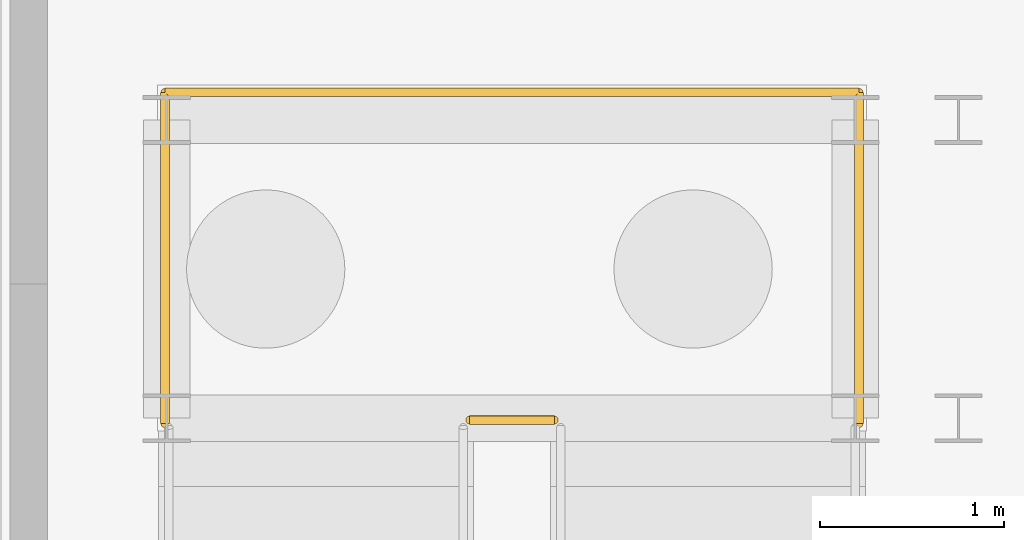
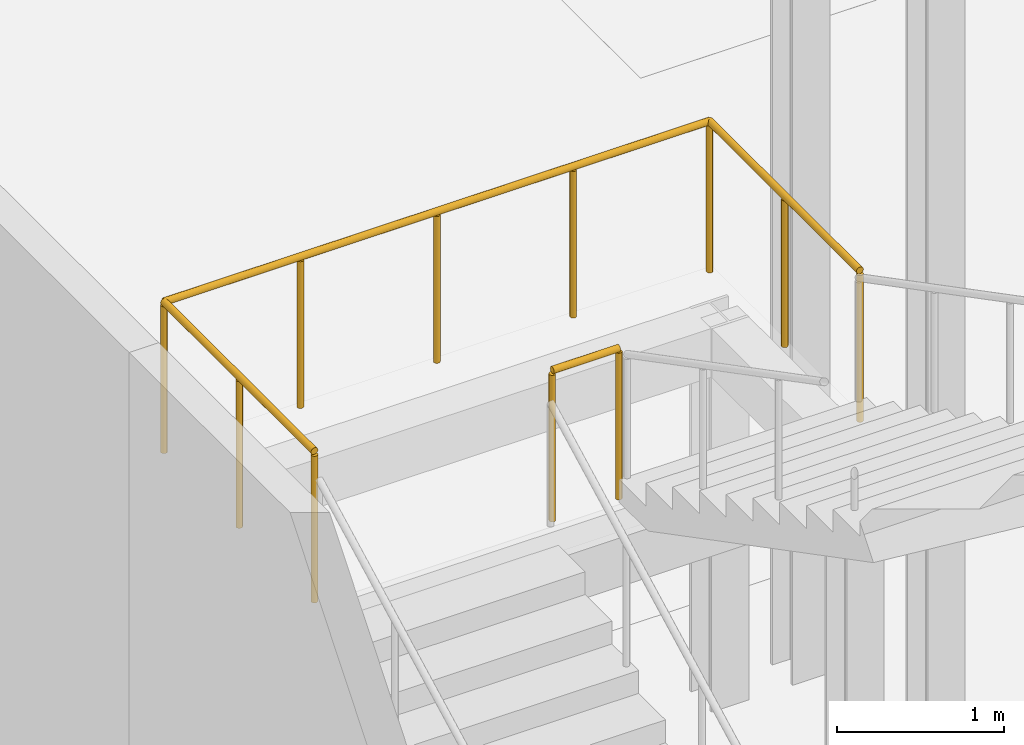
# One storey, part 117 of 131: 2 railings.
"""IFC4 building model written with IfcOpenShell, lengths in metres."""

from ifc_helpers import new_model, si_unit, direction, frame, origin, origin_2d, place, context, subcontext, project, spatial, circle, extrude, material, type_object, element, save


model = new_model("IFC4")

# Units and contexts
model_context = context("Model", 3, precision=1e-05, world=origin(), true_north=direction((0.0, 1.0)))
body_context = subcontext(model_context, "Body", "Model", "MODEL_VIEW")
ifc_project = project(units=[si_unit("LENGTHUNIT", "METRE"), si_unit("AREAUNIT", "SQUARE_METRE"), si_unit("VOLUMEUNIT", "CUBIC_METRE"), si_unit("PLANEANGLEUNIT", "RADIAN"), si_unit("MASSUNIT", "GRAM", prefix="KILO")], contexts=[model_context])

# Site, building, storey
site_placement = place(None, origin())
site = spatial("IfcSite", under=ifc_project, at=site_placement, CompositionType="ELEMENT")
building_placement = place(site_placement, origin())
building = spatial("IfcBuilding", under=site, at=building_placement, Name="Cazmaro Siding Exhibition Halls", CompositionType="ELEMENT")
storey_placement = place(building_placement, origin())
storey = spatial("IfcBuildingStorey", under=building, at=storey_placement, Name="L00", CompositionType="ELEMENT", Elevation=0.0)

# Railings
ifc_material = material(Name="Painted Steel Stairwell Guardrail", Category="steel")
railing_type = type_object("IfcRailingType", Name="RL-GRD-01", PredefinedType="GUARDRAIL", material=ifc_material)
railing_1_placement = place(storey_placement, frame((47.39501953125, 35.260009765625, 3.0)))
element("IfcRailing", 1, at=railing_1_placement, inside=storey, type_object=railing_type, Name="ST-26 Mid-Landing Slot Guard RL-GRD-01 RL-SG055", PredefinedType="GUARDRAIL", context=body_context, shape_type="SweptSolid", body=[
    extrude(circle(Radius=0.02392578125, at=origin_2d()), frame((0.0, 0.0, 1.09619140625), z_axis=(1.0, 0.0, 0.0), x_axis=(0.0, 1.0, 0.0)), (0.0, 0.0, 1.0), 0.4599609375),
    extrude(circle(Radius=0.02099609375, at=origin_2d()), origin(), (0.0, 0.0, 1.0), 1.072021484375),
    extrude(circle(Radius=0.02099609375, at=origin_2d()), frame((0.4599609375, 0.0, 0.0)), (0.0, 0.0, 1.0), 1.072021484375),
])
railing_2_placement = place(storey_placement, frame((45.739990234375, 35.239990234375, 3.0)))
element("IfcRailing", 2, at=railing_2_placement, inside=storey, type_object=railing_type, Name="ST-26 Mid-Landing Perimeter Guard RL-GRD-01 RL-SG056", PredefinedType="GUARDRAIL", context=body_context, shape_type="SweptSolid", body=[
    extrude(circle(Radius=0.02392578125, at=origin_2d()), frame((0.0, 0.0, 1.09619140625), z_axis=(0.0, 1.0, 0.0), x_axis=(-1.0, 0.0, 0.0)), (0.0, 0.0, 1.0), 1.800048828125),
    extrude(circle(Radius=0.02392578125, at=origin_2d()), frame((0.0, 1.800048828125, 1.09619140625), z_axis=(1.0, 0.0, 0.0), x_axis=(0.0, 1.0, 0.0)), (0.0, 0.0, 1.0), 3.77001953125),
    extrude(circle(Radius=0.02392578125, at=origin_2d()), frame((3.77001953125, 1.800048828125, 1.09619140625), z_axis=(0.0, -1.0, 0.0), x_axis=(1.0, 0.0, 0.0)), (0.0, 0.0, 1.0), 1.800048828125),
    extrude(circle(Radius=0.02099609375, at=origin_2d()), origin(), (0.0, 0.0, 1.0), 1.072021484375),
    extrude(circle(Radius=0.02099609375, at=origin_2d()), frame((0.0, 0.89990234375, 0.0)), (0.0, 0.0, 1.0), 1.072021484375),
    extrude(circle(Radius=0.02099609375, at=origin_2d()), frame((0.0, 1.800048828125, 0.0)), (0.0, 0.0, 1.0), 1.072021484375),
    extrude(circle(Radius=0.02099609375, at=origin_2d()), frame((0.9423828125, 1.800048828125, 0.0)), (0.0, 0.0, 1.0), 1.072021484375),
    extrude(circle(Radius=0.02099609375, at=origin_2d()), frame((1.885009765625, 1.800048828125, 0.0)), (0.0, 0.0, 1.0), 1.072021484375),
    extrude(circle(Radius=0.02099609375, at=origin_2d()), frame((2.82763671875, 1.800048828125, 0.0)), (0.0, 0.0, 1.0), 1.072021484375),
    extrude(circle(Radius=0.02099609375, at=origin_2d()), frame((3.77001953125, 1.800048828125, 0.0)), (0.0, 0.0, 1.0), 1.072021484375),
    extrude(circle(Radius=0.02099609375, at=origin_2d()), frame((3.77001953125, 0.89990234375, 0.0)), (0.0, 0.0, 1.0), 1.072021484375),
    extrude(circle(Radius=0.02099609375, at=origin_2d()), frame((3.77001953125, 0.0, 0.0)), (0.0, 0.0, 1.0), 1.072021484375),
])

save(model, "model.ifc")
